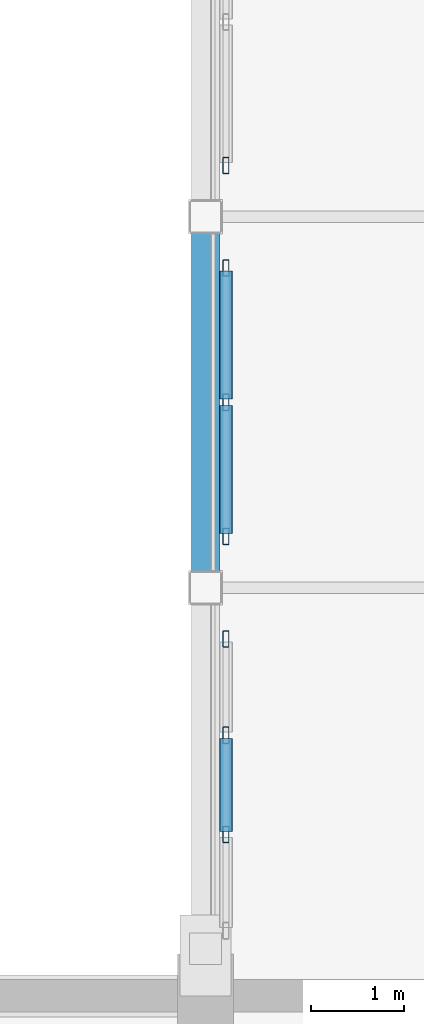
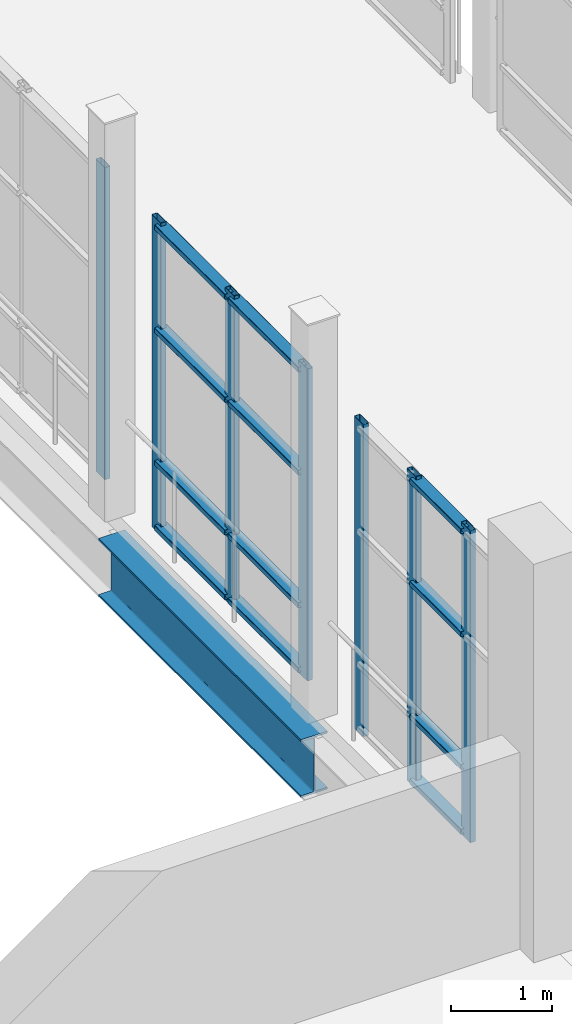
# One storey, part 24 of 106: 19 members, 1 beam, 3 elements without a shape of their own.
"""IFC4 building model written with IfcOpenShell, lengths in metres."""

from ifc_helpers import new_model, si_unit, direction, frame, origin, origin_2d, place, context, subcontext, project, spatial, hollow_rectangle, i_section, extrude, material, layer, layer_set, material_profile, profile_set, type_object, element, aggregate, save


model = new_model("IFC4")

# Units and contexts
model_context = context("Model", 3, precision=1e-05, world=origin(), true_north=direction((0.0, 1.0)))
body_context = subcontext(model_context, "Body", "Model", "MODEL_VIEW")
ifc_project = project(units=[si_unit("LENGTHUNIT", "METRE"), si_unit("AREAUNIT", "SQUARE_METRE"), si_unit("VOLUMEUNIT", "CUBIC_METRE"), si_unit("PLANEANGLEUNIT", "RADIAN"), si_unit("MASSUNIT", "GRAM", prefix="KILO")], contexts=[model_context])

# Site, building, storey
site_placement = place(None, origin())
site = spatial("IfcSite", under=ifc_project, at=site_placement, CompositionType="ELEMENT")
building_placement = place(site_placement, origin())
building = spatial("IfcBuilding", under=site, at=building_placement, Name="Kisaragi Civic Commons", CompositionType="ELEMENT")
storey_placement = place(building_placement, frame((0.0, 0.0, 4.800048828125)))
storey = spatial("IfcBuildingStorey", under=building, at=storey_placement, Name="L01", CompositionType="ELEMENT", Elevation=4.800048828125)

# Curtain wall, members
ifc_material_1 = material(Name="Thermally broken anodized aluminium and low-E double glazing", Category="aluminium")
ifc_layer = layer(ifc_material_1, 0.179931640625, Name="Thermally broken anodized aluminium and low-E double glazing", Category="aluminium")
ifc_layer_set = layer_set([ifc_layer], Name="Thermally broken anodized aluminium and low-E double glazing")
curtain_wall_type = type_object("IfcCurtainWallType", Name="CW-04", PredefinedType="NOTDEFINED", material=ifc_layer_set)
curtain_wall_1_placement = place(storey_placement, origin())
curtain_wall_1 = element("IfcCurtainWall", 1, at=curtain_wall_1_placement, inside=storey, type_object=curtain_wall_type, Name="L01 curtain wall CW-04 CW-BR-125", PredefinedType="NOTDEFINED")
ifc_material_profile_1 = material_profile(ifc_material_1, hollow_rectangle(XDim=0.06494140625, YDim=0.179931640625, WallThickness=0.00439453125, InnerFilletRadius=0.00439453125, OuterFilletRadius=0.009033203125, at=origin_2d()), Name="CWM-65x180x4.5", Category="aluminium")
ifc_profile_set_1 = profile_set([ifc_material_profile_1], Name="Thermally broken anodized aluminium and low-E double glazing")
member_type_1 = type_object("IfcMemberType", Name="CWM-02", PredefinedType="MULLION", material=ifc_profile_set_1)
member_1_placement = place(storey_placement, frame((13.820068359375, 64.139892578125, 0.0), z_axis=(0.0, 0.0, 1.0), x_axis=(-1.0, 0.0, 0.0)))
member_1 = element("IfcMember", 2, at=member_1_placement, type_object=member_type_1, Name="CW-04 mullion 2", PredefinedType="MULLION", context=body_context, shape_type="SweptSolid", body=[
    extrude(hollow_rectangle(XDim=0.06494140625, YDim=0.179931640625, WallThickness=0.00439453125, InnerFilletRadius=0.00439453125, OuterFilletRadius=0.009033203125, at=origin_2d()), origin(), (0.0, 0.0, 1.0), 3.760009765625),
])
member_2_placement = place(storey_placement, frame((13.820068359375, 65.2099609375, 0.0), z_axis=(0.0, 0.0, 1.0), x_axis=(-1.0, 0.0, 0.0)))
member_2 = element("IfcMember", 3, at=member_2_placement, type_object=member_type_1, Name="CW-04 mullion 3", PredefinedType="MULLION", context=body_context, shape_type="SweptSolid", body=[
    extrude(hollow_rectangle(XDim=0.06494140625, YDim=0.179931640625, WallThickness=0.00439453125, InnerFilletRadius=0.00439453125, OuterFilletRadius=0.009033203125, at=origin_2d()), origin(), (0.0, 0.0, 1.0), 3.760009765625),
])
member_3_placement = place(storey_placement, frame((13.820068359375, 66.24755859375, 0.0), z_axis=(0.0, 0.0, 1.0), x_axis=(-1.0, 0.0, 0.0)))
member_3 = element("IfcMember", 4, at=member_3_placement, type_object=member_type_1, Name="CW-04 mullion 4", PredefinedType="MULLION", context=body_context, shape_type="SweptSolid", body=[
    extrude(hollow_rectangle(XDim=0.06494140625, YDim=0.179931640625, WallThickness=0.00439453125, InnerFilletRadius=0.00439453125, OuterFilletRadius=0.009033203125, at=origin_2d()), origin(), (0.0, 0.0, 1.0), 3.760009765625),
])

curtain_wall_2_placement = place(storey_placement, origin())
curtain_wall_2 = element("IfcCurtainWall", 5, at=curtain_wall_2_placement, inside=storey, type_object=curtain_wall_type, Name="L01 curtain wall CW-04 CW-BR-126", PredefinedType="NOTDEFINED")
member_4_placement = place(storey_placement, frame((13.820068359375, 67.3525390625, 0.0), z_axis=(0.0, 0.0, 1.0), x_axis=(-1.0, 0.0, 0.0)))
member_4 = element("IfcMember", 6, at=member_4_placement, type_object=member_type_1, Name="CW-04 mullion 1", PredefinedType="MULLION", context=body_context, shape_type="SweptSolid", body=[
    extrude(hollow_rectangle(XDim=0.06494140625, YDim=0.179931640625, WallThickness=0.00439453125, InnerFilletRadius=0.00439453125, OuterFilletRadius=0.009033203125, at=origin_2d()), origin(), (0.0, 0.0, 1.0), 3.760009765625),
])
member_5_placement = place(storey_placement, frame((13.820068359375, 68.800048828125, 0.0), z_axis=(0.0, 0.0, 1.0), x_axis=(-1.0, 0.0, 0.0)))
member_5 = element("IfcMember", 7, at=member_5_placement, type_object=member_type_1, Name="CW-04 mullion 2", PredefinedType="MULLION", context=body_context, shape_type="SweptSolid", body=[
    extrude(hollow_rectangle(XDim=0.06494140625, YDim=0.179931640625, WallThickness=0.00439453125, InnerFilletRadius=0.00439453125, OuterFilletRadius=0.009033203125, at=origin_2d()), origin(), (0.0, 0.0, 1.0), 3.760009765625),
])
member_6_placement = place(storey_placement, frame((13.820068359375, 70.24755859375, 0.0), z_axis=(0.0, 0.0, 1.0), x_axis=(-1.0, 0.0, 0.0)))
member_6 = element("IfcMember", 8, at=member_6_placement, type_object=member_type_1, Name="CW-04 mullion 3", PredefinedType="MULLION", context=body_context, shape_type="SweptSolid", body=[
    extrude(hollow_rectangle(XDim=0.06494140625, YDim=0.179931640625, WallThickness=0.00439453125, InnerFilletRadius=0.00439453125, OuterFilletRadius=0.009033203125, at=origin_2d()), origin(), (0.0, 0.0, 1.0), 3.760009765625),
])

# Curtain wall, member
curtain_wall_3_placement = place(storey_placement, origin())
curtain_wall_3 = element("IfcCurtainWall", 9, at=curtain_wall_3_placement, inside=storey, type_object=curtain_wall_type, Name="L01 curtain wall CW-04 CW-BR-127", PredefinedType="NOTDEFINED")
member_7_placement = place(storey_placement, frame((13.820068359375, 71.3525390625, 0.0), z_axis=(0.0, 0.0, 1.0), x_axis=(-1.0, 0.0, 0.0)))
member_7 = element("IfcMember", 10, at=member_7_placement, type_object=member_type_1, Name="CW-04 mullion 1", PredefinedType="MULLION", context=body_context, shape_type="SweptSolid", body=[
    extrude(hollow_rectangle(XDim=0.06494140625, YDim=0.179931640625, WallThickness=0.00439453125, InnerFilletRadius=0.00439453125, OuterFilletRadius=0.009033203125, at=origin_2d()), origin(), (0.0, 0.0, 1.0), 3.760009765625),
])
aggregate(curtain_wall_3, [member_7])

# Member
ifc_material_profile_2 = material_profile(ifc_material_1, hollow_rectangle(XDim=0.139892578125, YDim=0.06494140625, WallThickness=0.00439453125, InnerFilletRadius=0.00439453125, OuterFilletRadius=0.009033203125, at=origin_2d()), Name="CWT-65x140x4.5", Category="aluminium")
ifc_profile_set_2 = profile_set([ifc_material_profile_2], Name="Thermally broken anodized aluminium and low-E double glazing")
member_type_2 = type_object("IfcMemberType", Name="CWT-02", PredefinedType="USERDEFINED", material=ifc_profile_set_2)
member_8_placement = place(storey_placement, frame((13.820068359375, 64.172607421875, 0.070068359375), z_axis=(0.0, 1.0, 0.0), x_axis=(-1.0, 0.0, 0.0)))
member_8 = element("IfcMember", 11, at=member_8_placement, type_object=member_type_2, Name="CW-04 transom 2.1", ObjectType="TRANSOM", PredefinedType="USERDEFINED", context=body_context, shape_type="SweptSolid", body=[
    extrude(hollow_rectangle(XDim=0.139892578125, YDim=0.06494140625, WallThickness=0.00439453125, InnerFilletRadius=0.00439453125, OuterFilletRadius=0.009033203125, at=origin_2d()), origin(), (0.0, 0.0, 1.0), 1.0048828125),
])

member_9_placement = place(storey_placement, frame((13.820068359375, 64.172607421875, 0.849853515625), z_axis=(0.0, 1.0, 0.0), x_axis=(-1.0, 0.0, 0.0)))
member_9 = element("IfcMember", 12, at=member_9_placement, type_object=member_type_2, Name="CW-04 transom 2.2", ObjectType="TRANSOM", PredefinedType="USERDEFINED", context=body_context, shape_type="SweptSolid", body=[
    extrude(hollow_rectangle(XDim=0.139892578125, YDim=0.06494140625, WallThickness=0.00439453125, InnerFilletRadius=0.00439453125, OuterFilletRadius=0.009033203125, at=origin_2d()), origin(), (0.0, 0.0, 1.0), 1.0048828125),
])

member_10_placement = place(storey_placement, frame((13.820068359375, 64.172607421875, 2.449951171875), z_axis=(0.0, 1.0, 0.0), x_axis=(-1.0, 0.0, 0.0)))
member_10 = element("IfcMember", 13, at=member_10_placement, type_object=member_type_2, Name="CW-04 transom 2.3", ObjectType="TRANSOM", PredefinedType="USERDEFINED", context=body_context, shape_type="SweptSolid", body=[
    extrude(hollow_rectangle(XDim=0.139892578125, YDim=0.06494140625, WallThickness=0.00439453125, InnerFilletRadius=0.00439453125, OuterFilletRadius=0.009033203125, at=origin_2d()), origin(), (0.0, 0.0, 1.0), 1.0048828125),
])

member_11_placement = place(storey_placement, frame((13.820068359375, 64.172607421875, 3.68994140625), z_axis=(0.0, 1.0, 0.0), x_axis=(-1.0, 0.0, 0.0)))
member_11 = element("IfcMember", 14, at=member_11_placement, type_object=member_type_2, Name="CW-04 transom 2.4", ObjectType="TRANSOM", PredefinedType="USERDEFINED", context=body_context, shape_type="SweptSolid", body=[
    extrude(hollow_rectangle(XDim=0.139892578125, YDim=0.06494140625, WallThickness=0.00439453125, InnerFilletRadius=0.00439453125, OuterFilletRadius=0.009033203125, at=origin_2d()), origin(), (0.0, 0.0, 1.0), 1.0048828125),
])

aggregate(curtain_wall_1, [member_1, member_2, member_3, member_8, member_9, member_10, member_11])

member_12_placement = place(storey_placement, frame((13.820068359375, 67.385009765625, 0.070068359375), z_axis=(0.0, 1.0, 0.0), x_axis=(-1.0, 0.0, 0.0)))
member_12 = element("IfcMember", 15, at=member_12_placement, type_object=member_type_2, Name="CW-04 transom 1.1", ObjectType="TRANSOM", PredefinedType="USERDEFINED", context=body_context, shape_type="SweptSolid", body=[
    extrude(hollow_rectangle(XDim=0.139892578125, YDim=0.06494140625, WallThickness=0.00439453125, InnerFilletRadius=0.00439453125, OuterFilletRadius=0.009033203125, at=origin_2d()), origin(), (0.0, 0.0, 1.0), 1.382568359375),
])

member_13_placement = place(storey_placement, frame((13.820068359375, 67.385009765625, 0.849853515625), z_axis=(0.0, 1.0, 0.0), x_axis=(-1.0, 0.0, 0.0)))
member_13 = element("IfcMember", 16, at=member_13_placement, type_object=member_type_2, Name="CW-04 transom 1.2", ObjectType="TRANSOM", PredefinedType="USERDEFINED", context=body_context, shape_type="SweptSolid", body=[
    extrude(hollow_rectangle(XDim=0.139892578125, YDim=0.06494140625, WallThickness=0.00439453125, InnerFilletRadius=0.00439453125, OuterFilletRadius=0.009033203125, at=origin_2d()), origin(), (0.0, 0.0, 1.0), 1.382568359375),
])

member_14_placement = place(storey_placement, frame((13.820068359375, 67.385009765625, 2.449951171875), z_axis=(0.0, 1.0, 0.0), x_axis=(-1.0, 0.0, 0.0)))
member_14 = element("IfcMember", 17, at=member_14_placement, type_object=member_type_2, Name="CW-04 transom 1.3", ObjectType="TRANSOM", PredefinedType="USERDEFINED", context=body_context, shape_type="SweptSolid", body=[
    extrude(hollow_rectangle(XDim=0.139892578125, YDim=0.06494140625, WallThickness=0.00439453125, InnerFilletRadius=0.00439453125, OuterFilletRadius=0.009033203125, at=origin_2d()), origin(), (0.0, 0.0, 1.0), 1.382568359375),
])

member_15_placement = place(storey_placement, frame((13.820068359375, 67.385009765625, 3.68994140625), z_axis=(0.0, 1.0, 0.0), x_axis=(-1.0, 0.0, 0.0)))
member_15 = element("IfcMember", 18, at=member_15_placement, type_object=member_type_2, Name="CW-04 transom 1.4", ObjectType="TRANSOM", PredefinedType="USERDEFINED", context=body_context, shape_type="SweptSolid", body=[
    extrude(hollow_rectangle(XDim=0.139892578125, YDim=0.06494140625, WallThickness=0.00439453125, InnerFilletRadius=0.00439453125, OuterFilletRadius=0.009033203125, at=origin_2d()), origin(), (0.0, 0.0, 1.0), 1.382568359375),
])

member_16_placement = place(storey_placement, frame((13.820068359375, 68.83251953125, 0.070068359375), z_axis=(0.0, 1.0, 0.0), x_axis=(-1.0, 0.0, 0.0)))
member_16 = element("IfcMember", 19, at=member_16_placement, type_object=member_type_2, Name="CW-04 transom 2.1", ObjectType="TRANSOM", PredefinedType="USERDEFINED", context=body_context, shape_type="SweptSolid", body=[
    extrude(hollow_rectangle(XDim=0.139892578125, YDim=0.06494140625, WallThickness=0.00439453125, InnerFilletRadius=0.00439453125, OuterFilletRadius=0.009033203125, at=origin_2d()), origin(), (0.0, 0.0, 1.0), 1.382568359375),
])

member_17_placement = place(storey_placement, frame((13.820068359375, 68.83251953125, 0.849853515625), z_axis=(0.0, 1.0, 0.0), x_axis=(-1.0, 0.0, 0.0)))
member_17 = element("IfcMember", 20, at=member_17_placement, type_object=member_type_2, Name="CW-04 transom 2.2", ObjectType="TRANSOM", PredefinedType="USERDEFINED", context=body_context, shape_type="SweptSolid", body=[
    extrude(hollow_rectangle(XDim=0.139892578125, YDim=0.06494140625, WallThickness=0.00439453125, InnerFilletRadius=0.00439453125, OuterFilletRadius=0.009033203125, at=origin_2d()), origin(), (0.0, 0.0, 1.0), 1.382568359375),
])

member_18_placement = place(storey_placement, frame((13.820068359375, 68.83251953125, 2.449951171875), z_axis=(0.0, 1.0, 0.0), x_axis=(-1.0, 0.0, 0.0)))
member_18 = element("IfcMember", 21, at=member_18_placement, type_object=member_type_2, Name="CW-04 transom 2.3", ObjectType="TRANSOM", PredefinedType="USERDEFINED", context=body_context, shape_type="SweptSolid", body=[
    extrude(hollow_rectangle(XDim=0.139892578125, YDim=0.06494140625, WallThickness=0.00439453125, InnerFilletRadius=0.00439453125, OuterFilletRadius=0.009033203125, at=origin_2d()), origin(), (0.0, 0.0, 1.0), 1.382568359375),
])

member_19_placement = place(storey_placement, frame((13.820068359375, 68.83251953125, 3.68994140625), z_axis=(0.0, 1.0, 0.0), x_axis=(-1.0, 0.0, 0.0)))
member_19 = element("IfcMember", 22, at=member_19_placement, type_object=member_type_2, Name="CW-04 transom 2.4", ObjectType="TRANSOM", PredefinedType="USERDEFINED", context=body_context, shape_type="SweptSolid", body=[
    extrude(hollow_rectangle(XDim=0.139892578125, YDim=0.06494140625, WallThickness=0.00439453125, InnerFilletRadius=0.00439453125, OuterFilletRadius=0.009033203125, at=origin_2d()), origin(), (0.0, 0.0, 1.0), 1.382568359375),
])

aggregate(curtain_wall_2, [member_4, member_5, member_6, member_12, member_13, member_14, member_15, member_16, member_17, member_18, member_19])

# Beam
ifc_material_2 = material(Name="Steel SN490 (SN490B)", Category="steel")
ifc_material_profile_3 = material_profile(ifc_material_2, i_section(OverallWidth=0.300048828125, OverallDepth=0.699951171875, WebThickness=0.012939453125, FlangeThickness=0.02392578125, FilletRadius=0.01806640625, at=origin_2d()), Name="H-700x300x13x24", Category="steel")
ifc_profile_set_3 = profile_set([ifc_material_profile_3], Name="Steel SN490 (SN490B)")
beam_type = type_object("IfcBeamType", Name="G-09", PredefinedType="BEAM", material=ifc_profile_set_3)
beam_placement = place(storey_placement, frame((13.60009765625, 70.800048828125, -0.655029296875), z_axis=(0.0, -1.0, 0.0), x_axis=(1.0, 0.0, 0.0)))
element("IfcBeam", 23, at=beam_placement, inside=storey, type_object=beam_type, Name="BR-V2-V1 L01 bridge girder 63", PredefinedType="BEAM", context=body_context, shape_type="SweptSolid", body=[
    extrude(i_section(OverallWidth=0.300048828125, OverallDepth=0.699951171875, WebThickness=0.012939453125, FlangeThickness=0.02392578125, FilletRadius=0.01806640625, at=origin_2d()), origin(), (0.0, 0.0, 1.0), 4.0),
])

save(model, "model.ifc")
